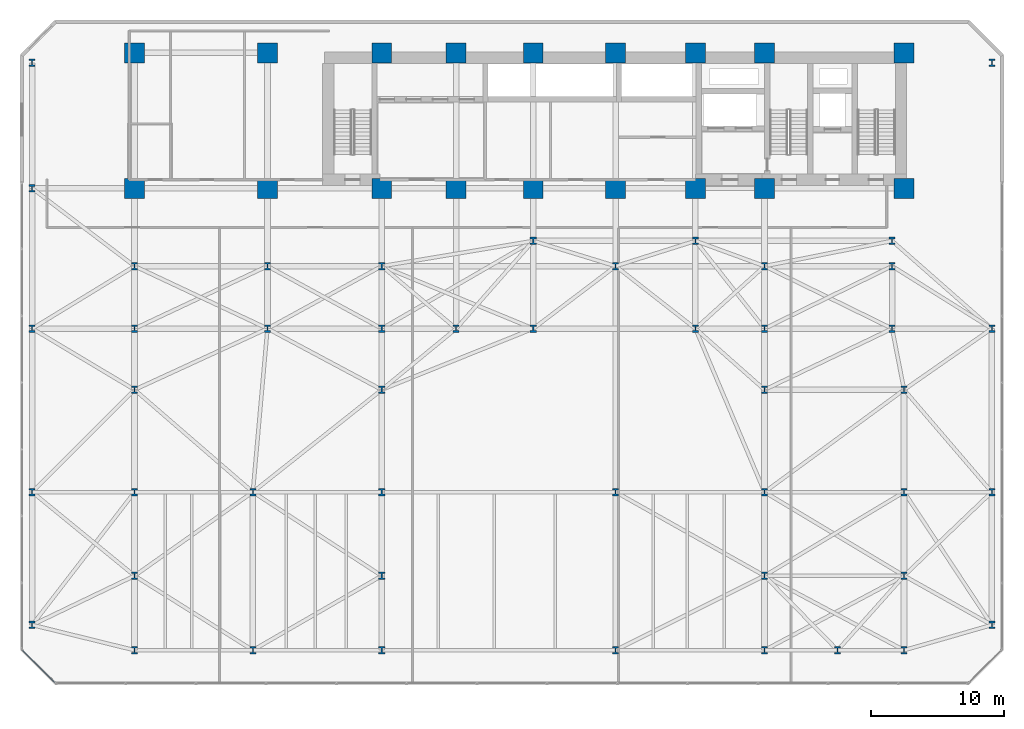
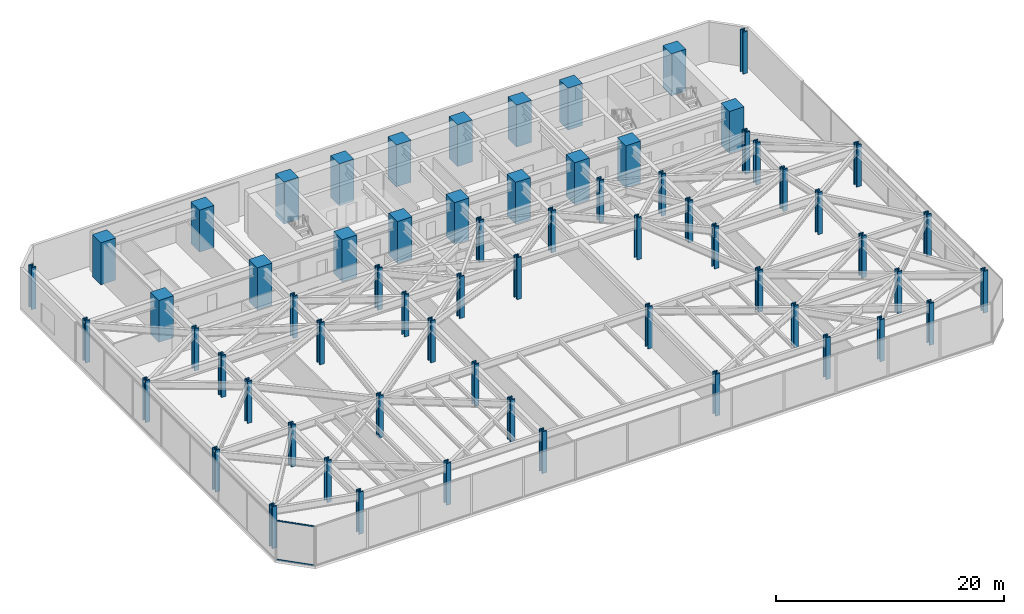
# One storey, part 1 of 28: 65 columns, 2 members, 1 element without a shape of its own.
"""IFC4 building model written with IfcOpenShell, lengths in metres."""

import ifcopenshell
import ifcopenshell.guid

model = None  # the IFC model being written
_history = None  # IfcOwnerHistory: only IFC2X3 demands one
_inside = {}  # id of a spatial element -> (the spatial element, [elements in it])
_under = {}  # id of a project, library or spatial element -> (it, [spatial elements below it])
_declared = {}  # id of a project -> (the project, [libraries it declares])
_typed = {}  # id of a type object -> (the type object, [elements of that type])
_made_of = {}  # id of a material, layer set ... -> (it, [elements and type objects made of it])


def new_model(schema):
    """Start an empty IFC model of exactly this schema.

    Asked for "IFC4X3", IfcOpenShell would pick the latest addendum, in which some entities
    have other attributes; the version numbers below select the first issue.
    IFC2X3 requires an IfcOwnerHistory on every rooted entity: one is made here for all.
    """
    global model, _history
    if schema == "IFC4X3":
        model = ifcopenshell.file(schema_version=(4, 3, 0, 0))
    else:
        model = ifcopenshell.file(schema=schema)
    _inside.clear()
    _under.clear()
    _declared.clear()
    _typed.clear()
    _made_of.clear()
    _history = None
    if model.schema == "IFC2X3":
        org = make("IfcOrganization", Name="unknown")
        user = make(
            "IfcPersonAndOrganization",
            ThePerson=make("IfcPerson", FamilyName="unknown"),
            TheOrganization=org,
        )
        app = make(
            "IfcApplication",
            ApplicationDeveloper=org,
            Version="unknown",
            ApplicationFullName="unknown",
            ApplicationIdentifier="unknown",
        )
        _history = make(
            "IfcOwnerHistory",
            OwningUser=user,
            OwningApplication=app,
            ChangeAction="ADDED",
            CreationDate=0,
        )
    return model


def make(cls, **values):
    """One entity of the class cls with the attributes given. An attribute that is None is left unset."""
    return model.create_entity(
        cls, **{name: value for name, value in values.items() if value is not None}
    )


def rooted(cls, **values):
    """An entity with a GlobalId (a new one), such as an element, a storey or a relation."""
    return make(cls, GlobalId=ifcopenshell.guid.new(), OwnerHistory=_history, **values)


def si_unit(unit_type, name, prefix=None):
    """IfcSIUnit, for example si_unit("LENGTHUNIT", "METRE", prefix="MILLI")."""
    return make("IfcSIUnit", UnitType=unit_type, Prefix=prefix, Name=name)


def assignment(units):
    """IfcUnitAssignment: the units of a project."""
    return None if units is None else make("IfcUnitAssignment", Units=units)


def point(xyz):
    """IfcCartesianPoint."""
    return None if xyz is None else make("IfcCartesianPoint", Coordinates=xyz)


def direction(xyz):
    """IfcDirection."""
    return None if xyz is None else make("IfcDirection", DirectionRatios=xyz)


def frame(location, z_axis=None, x_axis=None):
    """IfcAxis2Placement3D, a coordinate frame: its origin and axes. An axis left out is left unset."""
    return make(
        "IfcAxis2Placement3D",
        Location=point(location),
        Axis=direction(z_axis),
        RefDirection=direction(x_axis),
    )


def frame_2d(location, x_axis=None):
    """IfcAxis2Placement2D, a coordinate frame in the plane: its origin and x axis."""
    return make(
        "IfcAxis2Placement2D", Location=point(location), RefDirection=direction(x_axis)
    )


def origin():
    """The frame at (0, 0, 0) with its axes left unset."""
    return frame((0.0, 0.0, 0.0))


def origin_2d():
    """The frame at (0, 0) in the plane with its x axis left unset."""
    return frame_2d((0.0, 0.0))


def place(relative_to, where):
    """IfcLocalPlacement: puts the frame where relative to a parent placement (None: the world)."""
    return make(
        "IfcLocalPlacement", PlacementRelTo=relative_to, RelativePlacement=where
    )


def context(
    kind, dimensions, precision=None, world=None, true_north=None, identifier=None
):
    """IfcGeometricRepresentationContext, for example the 3D "Model" context."""
    return make(
        "IfcGeometricRepresentationContext",
        ContextIdentifier=identifier,
        ContextType=kind,
        CoordinateSpaceDimension=dimensions,
        Precision=precision,
        WorldCoordinateSystem=world,
        TrueNorth=true_north,
    )


def subcontext(parent, identifier, kind, view, scale=None):
    """IfcGeometricRepresentationSubContext, for example "Body" below "Model"."""
    return make(
        "IfcGeometricRepresentationSubContext",
        ContextIdentifier=identifier,
        ContextType=kind,
        ParentContext=parent,
        TargetScale=scale,
        TargetView=view,
    )


def project(units=None, contexts=None):
    """IfcProject with its units and contexts."""
    return rooted(
        "IfcProject",
        Name="project",
        RepresentationContexts=contexts,
        UnitsInContext=assignment(units),
    )


def spatial(cls, under=None, at=None, **own):
    """A site, building, storey or space (cls), placed at a placement, below another one or the project."""
    s = rooted(cls, ObjectPlacement=at, **own)
    if under is not None:
        _under.setdefault(under.id(), (under, []))[1].append(s)
    return s


def profile(cls, at=None, kind="AREA", **sizes):
    """A parametric profile (cls). Its sizes go by their IFC names, for example OverallWidth=200.0."""
    return make(cls, ProfileType=kind, Position=at, **sizes)


def rectangle(**sizes):
    """IfcRectangleProfileDef."""
    return profile("IfcRectangleProfileDef", **sizes)


def hollow_rectangle(**sizes):
    """IfcRectangleHollowProfileDef."""
    return profile("IfcRectangleHollowProfileDef", **sizes)


def i_section(**sizes):
    """IfcIShapeProfileDef."""
    return profile("IfcIShapeProfileDef", **sizes)


def extrude(swept, where, along, depth):
    """IfcExtrudedAreaSolid: the profile swept, set in the frame where, extruded along a direction by depth."""
    return make(
        "IfcExtrudedAreaSolid",
        SweptArea=swept,
        Position=where,
        ExtrudedDirection=direction(along),
        Depth=depth,
    )


def shape(context_of_items, identifier, shape_type, items):
    """IfcShapeRepresentation: the items that make up one representation, for example the "Body"."""
    return make(
        "IfcShapeRepresentation",
        ContextOfItems=context_of_items,
        RepresentationIdentifier=identifier,
        RepresentationType=shape_type,
        Items=items,
    )


def material(Name=None, Category=None):
    """IfcMaterial."""
    return make("IfcMaterial", Name=Name, Category=Category)


def layer(
    of_material, thickness, ventilated=None, Name=None, Category=None, Priority=None
):
    """IfcMaterialLayer: one layer of a wall or slab, of a material (None: an air gap)."""
    return make(
        "IfcMaterialLayer",
        Material=of_material,
        LayerThickness=thickness,
        IsVentilated=ventilated,
        Name=Name,
        Category=Category,
        Priority=Priority,
    )


def layer_set(layers, Name=None):
    """IfcMaterialLayerSet."""
    return make("IfcMaterialLayerSet", MaterialLayers=layers, LayerSetName=Name)


def material_profile(
    of_material, cross_section, Name=None, Category=None, Priority=None
):
    """IfcMaterialProfile: a cross section and its material."""
    return make(
        "IfcMaterialProfile",
        Name=Name,
        Material=of_material,
        Profile=cross_section,
        Priority=Priority,
        Category=Category,
    )


def profile_set(profiles, Name=None, composite=None):
    """IfcMaterialProfileSet."""
    return make(
        "IfcMaterialProfileSet",
        Name=Name,
        MaterialProfiles=profiles,
        CompositeProfile=composite,
    )


def made_of(thing, what):
    """Note that an element or type object is made of a material, layer set ...; save() writes the relation."""
    if what is not None:
        _made_of.setdefault(what.id(), (what, []))[1].append(thing)
    return thing


def type_object(cls, material=None, **own):
    """A type object (cls), such as IfcWallType, which elements share."""
    return made_of(rooted(cls, **own), material)


def element(
    cls,
    number,
    at=None,
    inside=None,
    cuts=None,
    type_object=None,
    material=None,
    context=None,
    identifier="Body",
    shape_type=None,
    held_by="IfcProductDefinitionShape",
    body=None,
    shapes=None,
    **own,
):
    """One element of the class cls, such as IfcWall. Its Tag is "e" and its number.

    at: its placement. inside: the storey or other place that contains it. cuts: it is an
    opening in that element (IfcRelVoidsElement). A single representation is given by context,
    identifier, shape_type and body (its items); several are given by shapes. held_by: the class
    of the entity that holds the representations. save() writes the other relations.
    """
    e = rooted(cls, Tag="e%d" % number, ObjectPlacement=at, **own)
    if body is not None:
        shapes = [shape(context, identifier, shape_type, body)]
    if shapes is not None:
        e.Representation = make(held_by, Representations=shapes)
    if inside is not None:
        _inside.setdefault(inside.id(), (inside, []))[1].append(e)
    if cuts is not None:
        rooted(
            "IfcRelVoidsElement", RelatingBuildingElement=cuts, RelatedOpeningElement=e
        )
    if type_object is not None:
        _typed.setdefault(type_object.id(), (type_object, []))[1].append(e)
    return made_of(e, material)


def aggregate(whole, parts):
    """IfcRelAggregates: a whole, such as a stair, and the parts it consists of."""
    return rooted("IfcRelAggregates", RelatingObject=whole, RelatedObjects=parts)


def save(model, path):
    """Write the relations noted so far, then the file.

    IfcRelAggregates (storeys below a building ...), IfcRelContainedInSpatialStructure (elements
    in a storey), IfcRelDefinesByType, IfcRelAssociatesMaterial and IfcRelDeclares: one each for
    every whole, place, type object, material and project.
    """
    for whole, parts in _under.values():
        aggregate(whole, parts)
    for where, things in _inside.values():
        rooted(
            "IfcRelContainedInSpatialStructure",
            RelatedElements=things,
            RelatingStructure=where,
        )
    for kind, things in _typed.values():
        rooted("IfcRelDefinesByType", RelatedObjects=things, RelatingType=kind)
    for what, things in _made_of.values():
        rooted("IfcRelAssociatesMaterial", RelatedObjects=things, RelatingMaterial=what)
    for by, libraries in _declared.values():
        rooted("IfcRelDeclares", RelatingContext=by, RelatedDefinitions=libraries)
    model.write(path)


model = new_model("IFC4")

# Units and contexts
model_context = context("Model", 3, precision=1e-05, world=origin(), true_north=direction((0.0, 1.0)))
body_context = subcontext(model_context, "Body", "Model", "MODEL_VIEW")
ifc_project = project(units=[si_unit("LENGTHUNIT", "METRE"), si_unit("AREAUNIT", "SQUARE_METRE"), si_unit("VOLUMEUNIT", "CUBIC_METRE"), si_unit("PLANEANGLEUNIT", "RADIAN"), si_unit("MASSUNIT", "GRAM", prefix="KILO")], contexts=[model_context])

# Site, building, storey
site_placement = place(None, origin())
site = spatial("IfcSite", under=ifc_project, at=site_placement, CompositionType="ELEMENT")
building_placement = place(site_placement, origin())
building = spatial("IfcBuilding", under=site, at=building_placement, Name="Kravanh Interchange Tower", CompositionType="ELEMENT")
storey_placement = place(building_placement, frame((0.0, 0.0, 10.800048828125)))
storey = spatial("IfcBuildingStorey", under=building, at=storey_placement, Name="L02", CompositionType="ELEMENT", Elevation=10.800048828125)

# Columns
ifc_material_1 = material(Name="Concrete C80/95", Category="concrete")
ifc_material_profile_1 = material_profile(ifc_material_1, rectangle(XDim=1.5, YDim=1.5, at=origin_2d()), Name="RC1500X1500")
ifc_profile_set_1 = profile_set([ifc_material_profile_1], Name="Concrete C80/95")
column_type_1 = type_object("IfcColumnType", Name="Column RC1500X1500 Concrete C80/95", PredefinedType="COLUMN", material=ifc_profile_set_1)
for number, where, z_axis, x_axis, name in (
    (1, (66.5, 47.550048828125, 0.0), (0.0, 0.0, 1.0), (1.0, 0.0, 0.0), "L02 Column CS01"),
    (2, (56.0, 47.550048828125, 0.0), (0.0, 0.0, 1.0), (1.0, 0.0, 0.0), "L02 Column CS02"),
    (3, (66.5, 37.35009765625, 0.0), (0.0, 0.0, 1.0), (1.0, 0.0, 0.0), "L02 Column CS03"),
    (4, (56.0, 37.35009765625, 0.0), (0.0, 0.0, 1.0), (1.0, 0.0, 0.0), "L02 Column CS04"),
    (5, (50.800048828125, 47.550048828125, 0.0), (0.0, 0.0, 1.0), (1.0, 0.0, 0.0), "L02 Column CS05"),
    (6, (50.800048828125, 37.35009765625, 0.0), (0.0, 0.0, 1.0), (1.0, 0.0, 0.0), "L02 Column CS06"),
    (7, (44.800048828125, 37.35009765625, 0.0), (0.0, 0.0, 1.0), (1.0, 0.0, 0.0), "L02 Column CS07"),
    (8, (44.800048828125, 47.550048828125, 0.0), (0.0, 0.0, 1.0), (1.0, 0.0, 0.0), "L02 Column CS08"),
    (9, (38.60009765625, 37.35009765625, 0.0), (0.0, 0.0, 1.0), (1.0, 0.0, 0.0), "L02 Column CS09"),
    (10, (38.60009765625, 47.550048828125, 0.0), (0.0, 0.0, 1.0), (1.0, 0.0, 0.0), "L02 Column CS10"),
    (11, (32.800048828125, 37.35009765625, 0.0), (0.0, 0.0, 1.0), (1.0, 0.0, 0.0), "L02 Column CS11"),
    (12, (32.800048828125, 47.550048828125, 0.0), (0.0, 0.0, 1.0), (1.0, 0.0, 0.0), "L02 Column CS12"),
    (13, (27.199951171875, 37.35009765625, 0.0), (0.0, 0.0, 1.0), (1.0, 0.0, 0.0), "L02 Column CS13"),
    (14, (27.199951171875, 47.550048828125, 0.0), (0.0, 0.0, 1.0), (1.0, 0.0, 0.0), "L02 Column CS14"),
    (15, (18.60009765625, 37.35009765625, 0.0), (0.0, 0.0, 1.0), (1.0, 0.0, 0.0), "L02 Column CS17"),
    (16, (18.60009765625, 47.550048828125, 0.0), (0.0, 0.0, 1.0), (1.0, 0.0, 0.0), "L02 Column CS18"),
    (17, (8.60009765625, 37.35009765625, 0.0), (0.0, 0.0, 1.0), (1.0, 0.0, 0.0), "L02 Column CS23"),
    (18, (8.60009765625, 47.550048828125, 0.0), (0.0, 0.0, 1.0), (1.0, 0.0, 0.0), "L02 Column CS24"),
):
    element("IfcColumn", number, at=place(storey_placement, frame(where, z_axis=z_axis, x_axis=x_axis)), inside=storey, type_object=column_type_1, Name=name, PredefinedType="COLUMN", context=body_context, shape_type="SweptSolid", body=[
        extrude(rectangle(XDim=1.5, YDim=1.5, at=origin_2d()), origin(), (0.0, 0.0, 1.0), 4.5),
    ])
ifc_material_2 = material(Name="Structural Steel S450", Category="steel")
ifc_material_profile_2 = material_profile(ifc_material_2, i_section(OverallWidth=0.4541015625, OverallDepth=0.569091796875, WebThickness=0.077880859375, FlangeThickness=0.124755859375, FilletRadius=0.030029296875, at=origin_2d()), Name="W14X730")
ifc_profile_set_2 = profile_set([ifc_material_profile_2], Name="Structural Steel S450")
column_type_2 = type_object("IfcColumnType", Name="Column W14X730 Structural Steel S450", PredefinedType="COLUMN", material=ifc_profile_set_2)
for number, where, z_axis, x_axis, name in (
    (19, (8.60009765625, 2.60009765625, 0.0), (0.0, 0.0, 1.0), (1.0, 0.0, 0.0), "L02 Column CP01"),
    (20, (17.5, 2.60009765625, 0.0), (0.0, 0.0, 1.0), (1.0, 0.0, 0.0), "L02 Column CP02"),
    (21, (27.199951171875, 2.60009765625, 0.0), (0.0, 0.0, 1.0), (1.0, 0.0, 0.0), "L02 Column CP03"),
    (22, (44.800048828125, 2.60009765625, 0.0), (0.0, 0.0, 1.0), (1.0, 0.0, 0.0), "L02 Column CP04"),
    (23, (56.0, 2.60009765625, 0.0), (0.0, 0.0, 1.0), (1.0, 0.0, 0.0), "L02 Column CP05"),
    (24, (61.5, 2.60009765625, 0.0), (0.0, 0.0, 1.0), (1.0, 0.0, 0.0), "L02 Column CP05B"),
    (25, (66.5, 2.60009765625, 0.0), (0.0, 0.0, 1.0), (1.0, 0.0, 0.0), "L02 Column CP06"),
    (26, (8.60009765625, 8.199951171875, 0.0), (0.0, 0.0, 1.0), (1.0, 0.0, 0.0), "L02 Column CP06B"),
    (27, (27.199951171875, 8.199951171875, 0.0), (0.0, 0.0, 1.0), (1.0, 0.0, 0.0), "L02 Column CP06C"),
    (28, (56.0, 8.199951171875, 0.0), (0.0, 0.0, 1.0), (1.0, 0.0, 0.0), "L02 Column CP06D"),
    (29, (66.5, 8.199951171875, 0.0), (0.0, 0.0, 1.0), (1.0, 0.0, 0.0), "L02 Column CP06E"),
    (30, (8.60009765625, 14.5, 0.0), (0.0, 0.0, 1.0), (1.0, 0.0, 0.0), "L02 Column CP07"),
    (31, (17.5, 14.5, 0.0), (0.0, 0.0, 1.0), (1.0, 0.0, 0.0), "L02 Column CP08"),
    (32, (27.199951171875, 14.5, 0.0), (0.0, 0.0, 1.0), (1.0, 0.0, 0.0), "L02 Column CP09"),
    (33, (44.800048828125, 14.5, 0.0), (0.0, 0.0, 1.0), (1.0, 0.0, 0.0), "L02 Column CP10"),
    (34, (56.0, 14.5, 0.0), (0.0, 0.0, 1.0), (1.0, 0.0, 0.0), "L02 Column CP11"),
    (35, (66.5, 14.5, 0.0), (0.0, 0.0, 1.0), (1.0, 0.0, 0.0), "L02 Column CP12"),
    (36, (8.60009765625, 22.199951171875, 0.0), (0.0, 0.0, 1.0), (1.0, 0.0, 0.0), "L02 Column CP12B"),
    (37, (27.199951171875, 22.199951171875, 0.0), (0.0, 0.0, 1.0), (1.0, 0.0, 0.0), "L02 Column CP12C"),
    (38, (56.0, 22.199951171875, 0.0), (0.0, 0.0, 1.0), (1.0, 0.0, 0.0), "L02 Column CP12D"),
    (39, (66.5, 22.199951171875, 0.0), (0.0, 0.0, 1.0), (1.0, 0.0, 0.0), "L02 Column CP12E"),
    (40, (8.60009765625, 26.800048828125, 0.0), (0.0, 0.0, 1.0), (1.0, 0.0, 0.0), "L02 Column CP13"),
    (41, (18.60009765625, 26.800048828125, 0.0), (0.0, 0.0, 1.0), (1.0, 0.0, 0.0), "L02 Column CP14"),
    (42, (27.199951171875, 26.800048828125, 0.0), (0.0, 0.0, 1.0), (1.0, 0.0, 0.0), "L02 Column CP15"),
    (43, (32.800048828125, 26.800048828125, 0.0), (0.0, 0.0, 1.0), (1.0, 0.0, 0.0), "L02 Column CP16"),
    (44, (38.60009765625, 26.800048828125, 0.0), (0.0, 0.0, 1.0), (1.0, 0.0, 0.0), "L02 Column CP16B"),
    (45, (50.800048828125, 26.800048828125, 0.0), (0.0, 0.0, 1.0), (1.0, 0.0, 0.0), "L02 Column CP17"),
    (46, (56.0, 26.800048828125, 0.0), (0.0, 0.0, 1.0), (1.0, 0.0, 0.0), "L02 Column CP18"),
    (47, (65.60009765625, 26.800048828125, 0.0), (0.0, 0.0, 1.0), (1.0, 0.0, 0.0), "L02 Column CP19"),
    (48, (8.60009765625, 31.5, 0.0), (0.0, 0.0, 1.0), (1.0, 0.0, 0.0), "L02 Column CP19B"),
    (49, (18.60009765625, 31.5, 0.0), (0.0, 0.0, 1.0), (1.0, 0.0, 0.0), "L02 Column CP20"),
    (50, (27.199951171875, 31.5, 0.0), (0.0, 0.0, 1.0), (1.0, 0.0, 0.0), "L02 Column CP21"),
    (51, (44.800048828125, 31.5, 0.0), (0.0, 0.0, 1.0), (1.0, 0.0, 0.0), "L02 Column CP22"),
    (52, (56.0, 31.5, 0.0), (0.0, 0.0, 1.0), (1.0, 0.0, 0.0), "L02 Column CP23"),
    (53, (65.60009765625, 31.5, 0.0), (0.0, 0.0, 1.0), (1.0, 0.0, 0.0), "L02 Column CP24"),
    (54, (0.89990234375, 4.5, 0.0), (0.0, 0.0, 1.0), (1.0, 0.0, 0.0), "L02 Column CP25"),
    (55, (0.89990234375, 14.5, 0.0), (0.0, 0.0, 1.0), (1.0, 0.0, 0.0), "L02 Column CP25B"),
    (56, (0.89990234375, 26.800048828125, 0.0), (0.0, 0.0, 1.0), (1.0, 0.0, 0.0), "L02 Column CP25C"),
    (57, (0.89990234375, 37.35009765625, 0.0), (0.0, 0.0, 1.0), (1.0, 0.0, 0.0), "L02 Column CP25D"),
    (58, (0.89990234375, 46.800048828125, 0.0), (0.0, 0.0, 1.0), (1.0, 0.0, 0.0), "L02 Column CP26"),
    (59, (73.10009765625, 4.5, 0.0), (0.0, 0.0, 1.0), (1.0, 0.0, 0.0), "L02 Column CP27"),
    (60, (73.10009765625, 14.5, 0.0), (0.0, 0.0, 1.0), (1.0, 0.0, 0.0), "L02 Column CP27B"),
    (61, (73.10009765625, 26.800048828125, 0.0), (0.0, 0.0, 1.0), (1.0, 0.0, 0.0), "L02 Column CP27C"),
    (62, (73.10009765625, 46.800048828125, 0.0), (0.0, 0.0, 1.0), (1.0, 0.0, 0.0), "L02 Column CP28"),
    (63, (38.60009765625, 33.39990234375, 0.0), (0.0, 0.0, 1.0), (1.0, 0.0, 0.0), "L02 Column CP_M1"),
    (64, (50.800048828125, 33.39990234375, 0.0), (0.0, 0.0, 1.0), (1.0, 0.0, 0.0), "L02 Column CP_M2"),
    (65, (65.60009765625, 33.39990234375, 0.0), (0.0, 0.0, 1.0), (1.0, 0.0, 0.0), "L02 Column CP_M3"),
):
    element("IfcColumn", number, at=place(storey_placement, frame(where, z_axis=z_axis, x_axis=x_axis)), inside=storey, type_object=column_type_2, Name=name, PredefinedType="COLUMN", context=body_context, shape_type="SweptSolid", body=[
        extrude(i_section(OverallWidth=0.4541015625, OverallDepth=0.569091796875, WebThickness=0.077880859375, FlangeThickness=0.124755859375, FilletRadius=0.030029296875, at=origin_2d()), origin(), (0.0, 0.0, 1.0), 4.5),
    ])

# Curtain wall, members
ifc_material_3 = material(Name="Anodised Bronze Aluminium", Category="aluminium")
ifc_layer = layer(ifc_material_3, 0.179931640625)
ifc_layer_set = layer_set([ifc_layer], Name="Unitised Curtain Wall System CW-POD Podium Concourse")
curtain_wall_type = type_object("IfcCurtainWallType", Name="Unitised Curtain Wall System CW-POD Podium Concourse", PredefinedType="NOTDEFINED", material=ifc_layer_set)
curtain_wall_placement = place(storey_placement, origin())
curtain_wall = element("IfcCurtainWall", 66, at=curtain_wall_placement, inside=storey, type_object=curtain_wall_type, Name="L02 Unitised Curtain Wall CW-L02-05", PredefinedType="NOTDEFINED")
ifc_material_4 = material(Name="Anodised Bronze Aluminium", Category="aluminium")
ifc_material_profile_3 = material_profile(ifc_material_4, hollow_rectangle(XDim=0.06005859375, YDim=0.139892578125, WallThickness=0.00390625, at=origin_2d()), Name="ALU60X140X4")
ifc_profile_set_3 = profile_set([ifc_material_profile_3], Name="Anodised Bronze Aluminium")
member_type = type_object("IfcMemberType", Name="Curtain Wall Transom ALU60X140X4 Bronze", PredefinedType="USERDEFINED", material=ifc_profile_set_3)
member_1_placement = place(storey_placement, frame((2.60009765625, 0.16943359375, 0.030029296875), z_axis=(-0.707106781187, 0.707106781187, 0.0), x_axis=(-0.707106781187, -0.707106781187, 0.0)))
member_1 = element("IfcMember", 67, at=member_1_placement, type_object=member_type, Name="CW-POD transom 1.1", ObjectType="TRANSOM", PredefinedType="USERDEFINED", context=body_context, shape_type="SweptSolid", body=[
    extrude(hollow_rectangle(XDim=0.06005859375, YDim=0.139892578125, WallThickness=0.00390625, at=origin_2d()), origin(), (0.0, 0.0, 1.0), 3.4375),
])
member_2_placement = place(storey_placement, frame((2.60009765625, 0.16943359375, 4.199951171875), z_axis=(-0.707106781187, 0.707106781187, 0.0), x_axis=(-0.707106781187, -0.707106781187, 0.0)))
member_2 = element("IfcMember", 68, at=member_2_placement, type_object=member_type, Name="CW-POD transom 1.2", ObjectType="TRANSOM", PredefinedType="USERDEFINED", context=body_context, shape_type="SweptSolid", body=[
    extrude(hollow_rectangle(XDim=0.06005859375, YDim=0.139892578125, WallThickness=0.00390625, at=origin_2d()), origin(), (0.0, 0.0, 1.0), 3.4375),
])
aggregate(curtain_wall, [member_1, member_2])

save(model, "model.ifc")
